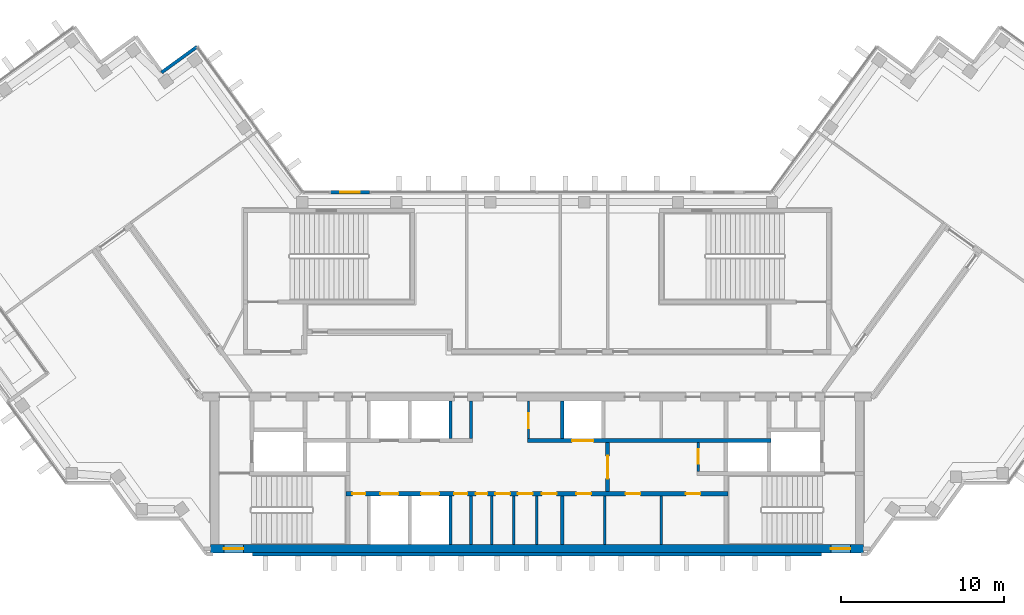
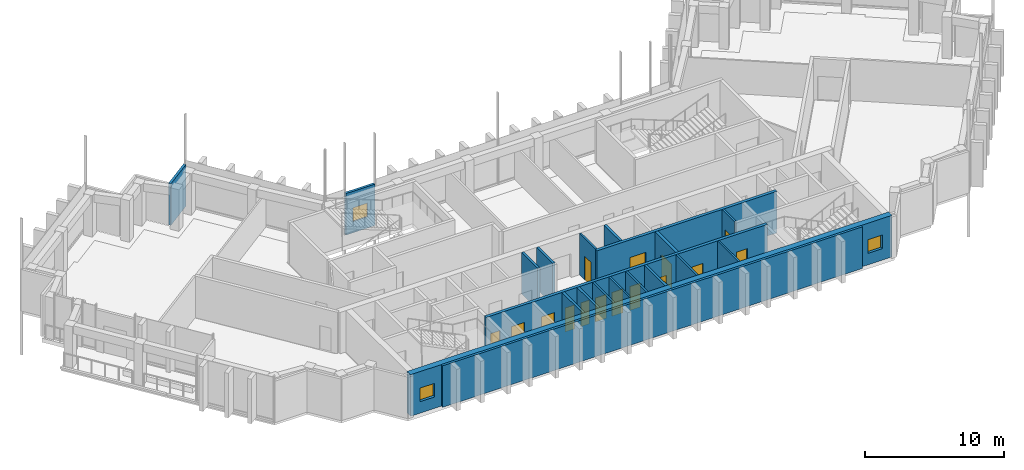
# One storey, part 10 of 14: 20 walls, 15 doors, 3 windows, 18 openings.
"""IFC4 building model written with IfcOpenShell, lengths in metres."""

from ifc_helpers import new_model, si_unit, direction, frame, frame_2d, origin, place, context, subcontext, project, spatial, rectangle, extrude, material, layer, layer_set, type_object, element, fill, save


model = new_model("IFC4")

# Units and contexts
model_context = context("Model", 3, precision=1e-05, world=origin(), true_north=direction((0.0, 1.0)))
body_context = subcontext(model_context, "Body", "Model", "MODEL_VIEW")
ifc_project = project(units=[si_unit("LENGTHUNIT", "METRE"), si_unit("AREAUNIT", "SQUARE_METRE"), si_unit("VOLUMEUNIT", "CUBIC_METRE"), si_unit("PLANEANGLEUNIT", "RADIAN"), si_unit("MASSUNIT", "GRAM", prefix="KILO")], contexts=[model_context])

# Site, building, storey
site_placement = place(None, origin())
site = spatial("IfcSite", under=ifc_project, at=site_placement, CompositionType="ELEMENT")
building_placement = place(site_placement, origin())
building = spatial("IfcBuilding", under=site, at=building_placement, Name="Quipu Civic Tower", CompositionType="ELEMENT")
storey_placement = place(building_placement, frame((0.0, 0.0, 257.0)))
storey = spatial("IfcBuildingStorey", under=building, at=storey_placement, Name="L60", CompositionType="ELEMENT", Elevation=257.0)

# Wall, openings, doors
ifc_material_1 = material(Name="Concrete C70/85", Category="concrete")
ifc_layer_1 = layer(ifc_material_1, 0.25)
ifc_layer_set_1 = layer_set([ifc_layer_1], Name="Concrete C70/85")
wall_type_1 = type_object("IfcWallType", Name="Core wall 250", PredefinedType="SHEAR", material=ifc_layer_set_1)
wall_1_placement = place(storey_placement, frame((11.699951171875, -7.375, 0.0), z_axis=(0.0, 0.0, 1.0), x_axis=(-1.0, 0.0, 0.0)))
wall_1 = element("IfcWall", 1, at=wall_1_placement, inside=storey, type_object=wall_type_1, Name="Core wall", PredefinedType="SHEAR", context=body_context, shape_type="SweptSolid", body=[
    extrude(rectangle(XDim=23.39990234375, YDim=0.25, at=frame_2d((11.699951171875, 0.0))), origin(), (0.0, 0.0, 1.0), 3.64990234375),
])
opening_1_placement = place(wall_1_placement, frame((22.22509765625, 0.0, 0.0)))
opening_1 = element("IfcOpeningElement", 2, at=opening_1_placement, cuts=wall_1, Name="Opening CD-01", PredefinedType="OPENING", context=body_context, shape_type="SweptSolid", body=[
    extrude(rectangle(XDim=0.800048828125, YDim=2.10009765625, at=frame_2d((0.39990234375, 1.050048828125))), frame((0.0, 0.135009765625, 0.0), z_axis=(0.0, -1.0, 0.0), x_axis=(1.0, 0.0, 0.0)), (0.0, 0.0, 1.0), 0.27001953125),
])
opening_2_placement = place(wall_1_placement, frame((20.199951171875, 0.0, 0.0)))
opening_2 = element("IfcOpeningElement", 3, at=opening_2_placement, cuts=wall_1, Name="Opening LD-HL1", PredefinedType="OPENING", context=body_context, shape_type="SweptSolid", body=[
    extrude(rectangle(XDim=1.10009765625, YDim=2.10009765625, at=frame_2d((0.550048828125, 1.050048828125))), frame((0.0, 0.135009765625, 0.0), z_axis=(0.0, -1.0, 0.0), x_axis=(1.0, 0.0, 0.0)), (0.0, 0.0, 1.0), 0.27001953125),
])
opening_3_placement = place(wall_1_placement, frame((17.699951171875, 0.0, 0.0)))
opening_3 = element("IfcOpeningElement", 4, at=opening_3_placement, cuts=wall_1, Name="Opening LD-HL2", PredefinedType="OPENING", context=body_context, shape_type="SweptSolid", body=[
    extrude(rectangle(XDim=1.10009765625, YDim=2.10009765625, at=frame_2d((0.550048828125, 1.050048828125))), frame((0.0, 0.135009765625, 0.0), z_axis=(0.0, -1.0, 0.0), x_axis=(1.0, 0.0, 0.0)), (0.0, 0.0, 1.0), 0.27001953125),
])
opening_4_placement = place(wall_1_placement, frame((15.97509765625, 0.0, 0.0)))
opening_4 = element("IfcOpeningElement", 5, at=opening_4_placement, cuts=wall_1, Name="Opening CD-02", PredefinedType="OPENING", context=body_context, shape_type="SweptSolid", body=[
    extrude(rectangle(XDim=0.800048828125, YDim=2.10009765625, at=frame_2d((0.39990234375, 1.050048828125))), frame((0.0, 0.135009765625, 0.0), z_axis=(0.0, -1.0, 0.0), x_axis=(1.0, 0.0, 0.0)), (0.0, 0.0, 1.0), 0.27001953125),
])
opening_5_placement = place(wall_1_placement, frame((14.75, 0.0, 0.0)))
opening_5 = element("IfcOpeningElement", 6, at=opening_5_placement, cuts=wall_1, Name="Opening CD-03", PredefinedType="OPENING", context=body_context, shape_type="SweptSolid", body=[
    extrude(rectangle(XDim=0.699951171875, YDim=2.10009765625, at=frame_2d((0.35009765625, 1.050048828125))), frame((0.0, 0.135009765625, 0.0), z_axis=(0.0, -1.0, 0.0), x_axis=(1.0, 0.0, 0.0)), (0.0, 0.0, 1.0), 0.27001953125),
])
opening_6_placement = place(wall_1_placement, frame((13.35009765625, 0.0, 0.0)))
opening_6 = element("IfcOpeningElement", 7, at=opening_6_placement, cuts=wall_1, Name="Opening CD-04", PredefinedType="OPENING", context=body_context, shape_type="SweptSolid", body=[
    extrude(rectangle(XDim=0.89990234375, YDim=2.10009765625, at=frame_2d((0.449951171875, 1.050048828125))), frame((0.0, 0.135009765625, 0.0), z_axis=(0.0, -1.0, 0.0), x_axis=(1.0, 0.0, 0.0)), (0.0, 0.0, 1.0), 0.27001953125),
])
opening_7_placement = place(wall_1_placement, frame((11.97509765625, 0.0, 0.0)))
opening_7 = element("IfcOpeningElement", 8, at=opening_7_placement, cuts=wall_1, Name="Opening CD-05", PredefinedType="OPENING", context=body_context, shape_type="SweptSolid", body=[
    extrude(rectangle(XDim=0.89990234375, YDim=2.10009765625, at=frame_2d((0.449951171875, 1.050048828125))), frame((0.0, 0.135009765625, 0.0), z_axis=(0.0, -1.0, 0.0), x_axis=(1.0, 0.0, 0.0)), (0.0, 0.0, 1.0), 0.27001953125),
])
opening_8_placement = place(wall_1_placement, frame((10.5, 0.0, 0.0)))
opening_8 = element("IfcOpeningElement", 9, at=opening_8_placement, cuts=wall_1, Name="Opening CD-06", PredefinedType="OPENING", context=body_context, shape_type="SweptSolid", body=[
    extrude(rectangle(XDim=0.89990234375, YDim=2.10009765625, at=frame_2d((0.449951171875, 1.050048828125))), frame((0.0, 0.135009765625, 0.0), z_axis=(0.0, -1.0, 0.0), x_axis=(1.0, 0.0, 0.0)), (0.0, 0.0, 1.0), 0.27001953125),
])
opening_9_placement = place(wall_1_placement, frame((8.387939453125, 0.0, 0.0)))
opening_9 = element("IfcOpeningElement", 10, at=opening_9_placement, cuts=wall_1, Name="Opening CD-07", PredefinedType="OPENING", context=body_context, shape_type="SweptSolid", body=[
    extrude(rectangle(XDim=0.89990234375, YDim=2.10009765625, at=frame_2d((0.449951171875, 1.050048828125))), frame((0.0, 0.135009765625, 0.0), z_axis=(0.0, -1.0, 0.0), x_axis=(1.0, 0.0, 0.0)), (0.0, 0.0, 1.0), 0.27001953125),
])
opening_10_placement = place(wall_1_placement, frame((5.375, 0.0, 0.0)))
opening_10 = element("IfcOpeningElement", 11, at=opening_10_placement, cuts=wall_1, Name="Opening CD-08", PredefinedType="OPENING", context=body_context, shape_type="SweptSolid", body=[
    extrude(rectangle(XDim=0.89990234375, YDim=2.10009765625, at=frame_2d((0.449951171875, 1.050048828125))), frame((0.0, 0.135009765625, 0.0), z_axis=(0.0, -1.0, 0.0), x_axis=(1.0, 0.0, 0.0)), (0.0, 0.0, 1.0), 0.27001953125),
])
opening_11_placement = place(wall_1_placement, frame((1.68798828125, 0.0, 0.0)))
opening_11 = element("IfcOpeningElement", 12, at=opening_11_placement, cuts=wall_1, Name="Opening CD-09", PredefinedType="OPENING", context=body_context, shape_type="SweptSolid", body=[
    extrude(rectangle(XDim=0.89990234375, YDim=2.10009765625, at=frame_2d((0.449951171875, 1.050048828125))), frame((0.0, 0.135009765625, 0.0), z_axis=(0.0, -1.0, 0.0), x_axis=(1.0, 0.0, 0.0)), (0.0, 0.0, 1.0), 0.27001953125),
])
ifc_material_2 = material(Name="Fire rated steel door", Category="steel")
door_type_1 = type_object("IfcDoorType", Name="Fire door FD60 700 x 2100", OperationType="NOTDEFINED", PredefinedType="DOOR", material=ifc_material_2)
door_1_placement = place(opening_5_placement, origin())
door_1 = element("IfcDoor", 13, at=door_1_placement, inside=storey, type_object=door_type_1, Name="Door", OperationType="SINGLE_SWING_RIGHT", OverallHeight=2.10009765625, OverallWidth=0.699951171875, PredefinedType="DOOR", context=body_context, shape_type="SweptSolid", body=[
    extrude(rectangle(XDim=0.699951171875, YDim=2.10009765625, at=frame_2d((0.35009765625, 1.050048828125))), frame((0.0, 0.02490234375, 0.0), z_axis=(0.0, -1.0, 0.0), x_axis=(1.0, 0.0, 0.0)), (0.0, 0.0, 1.0), 0.050048828125),
])
fill(opening_5, door_1)
ifc_material_3 = material(Name="Fire rated steel door", Category="steel")
door_type_2 = type_object("IfcDoorType", Name="Fire door FD60 800 x 2100", OperationType="NOTDEFINED", PredefinedType="DOOR", material=ifc_material_3)
door_2_placement = place(opening_1_placement, origin())
door_2 = element("IfcDoor", 14, at=door_2_placement, inside=storey, type_object=door_type_2, Name="Door", OperationType="SINGLE_SWING_RIGHT", OverallHeight=2.10009765625, OverallWidth=0.800048828125, PredefinedType="DOOR", context=body_context, shape_type="SweptSolid", body=[
    extrude(rectangle(XDim=0.800048828125, YDim=2.10009765625, at=frame_2d((0.39990234375, 1.050048828125))), frame((0.0, 0.02490234375, 0.0), z_axis=(0.0, -1.0, 0.0), x_axis=(1.0, 0.0, 0.0)), (0.0, 0.0, 1.0), 0.050048828125),
])
fill(opening_1, door_2)
door_3_placement = place(opening_4_placement, origin())
door_3 = element("IfcDoor", 15, at=door_3_placement, inside=storey, type_object=door_type_2, Name="Door", OperationType="SINGLE_SWING_RIGHT", OverallHeight=2.10009765625, OverallWidth=0.800048828125, PredefinedType="DOOR", context=body_context, shape_type="SweptSolid", body=[
    extrude(rectangle(XDim=0.800048828125, YDim=2.10009765625, at=frame_2d((0.39990234375, 1.050048828125))), frame((0.0, 0.02490234375, 0.0), z_axis=(0.0, -1.0, 0.0), x_axis=(1.0, 0.0, 0.0)), (0.0, 0.0, 1.0), 0.050048828125),
])
fill(opening_4, door_3)
ifc_material_4 = material(Name="Fire rated steel door", Category="steel")
door_type_3 = type_object("IfcDoorType", Name="Fire door FD60 900 x 2100", OperationType="NOTDEFINED", PredefinedType="DOOR", material=ifc_material_4)
door_4_placement = place(opening_6_placement, origin())
door_4 = element("IfcDoor", 16, at=door_4_placement, inside=storey, type_object=door_type_3, Name="WC door", OperationType="SINGLE_SWING_RIGHT", OverallHeight=2.10009765625, OverallWidth=0.89990234375, PredefinedType="DOOR", context=body_context, shape_type="SweptSolid", body=[
    extrude(rectangle(XDim=0.89990234375, YDim=2.10009765625, at=frame_2d((0.449951171875, 1.050048828125))), frame((0.0, 0.02490234375, 0.0), z_axis=(0.0, -1.0, 0.0), x_axis=(1.0, 0.0, 0.0)), (0.0, 0.0, 1.0), 0.050048828125),
])
fill(opening_6, door_4)
door_5_placement = place(opening_7_placement, origin())
door_5 = element("IfcDoor", 17, at=door_5_placement, inside=storey, type_object=door_type_3, Name="WC door", OperationType="SINGLE_SWING_RIGHT", OverallHeight=2.10009765625, OverallWidth=0.89990234375, PredefinedType="DOOR", context=body_context, shape_type="SweptSolid", body=[
    extrude(rectangle(XDim=0.89990234375, YDim=2.10009765625, at=frame_2d((0.449951171875, 1.050048828125))), frame((0.0, 0.02490234375, 0.0), z_axis=(0.0, -1.0, 0.0), x_axis=(1.0, 0.0, 0.0)), (0.0, 0.0, 1.0), 0.050048828125),
])
fill(opening_7, door_5)
door_6_placement = place(opening_8_placement, origin())
door_6 = element("IfcDoor", 18, at=door_6_placement, inside=storey, type_object=door_type_3, Name="WC door", OperationType="SINGLE_SWING_LEFT", OverallHeight=2.10009765625, OverallWidth=0.89990234375, PredefinedType="DOOR", context=body_context, shape_type="SweptSolid", body=[
    extrude(rectangle(XDim=0.89990234375, YDim=2.10009765625, at=frame_2d((0.449951171875, 1.050048828125))), frame((0.0, 0.02490234375, 0.0), z_axis=(0.0, -1.0, 0.0), x_axis=(1.0, 0.0, 0.0)), (0.0, 0.0, 1.0), 0.050048828125),
])
fill(opening_8, door_6)
door_7_placement = place(opening_9_placement, origin())
door_7 = element("IfcDoor", 19, at=door_7_placement, inside=storey, type_object=door_type_3, Name="Door", OperationType="SINGLE_SWING_LEFT", OverallHeight=2.10009765625, OverallWidth=0.89990234375, PredefinedType="DOOR", context=body_context, shape_type="SweptSolid", body=[
    extrude(rectangle(XDim=0.89990234375, YDim=2.10009765625, at=frame_2d((0.449951171875, 1.050048828125))), frame((0.0, 0.02490234375, 0.0), z_axis=(0.0, -1.0, 0.0), x_axis=(1.0, 0.0, 0.0)), (0.0, 0.0, 1.0), 0.050048828125),
])
fill(opening_9, door_7)
door_8_placement = place(opening_10_placement, origin())
door_8 = element("IfcDoor", 20, at=door_8_placement, inside=storey, type_object=door_type_3, Name="Door", OperationType="SINGLE_SWING_LEFT", OverallHeight=2.10009765625, OverallWidth=0.89990234375, PredefinedType="DOOR", context=body_context, shape_type="SweptSolid", body=[
    extrude(rectangle(XDim=0.89990234375, YDim=2.10009765625, at=frame_2d((0.449951171875, 1.050048828125))), frame((0.0, 0.02490234375, 0.0), z_axis=(0.0, -1.0, 0.0), x_axis=(1.0, 0.0, 0.0)), (0.0, 0.0, 1.0), 0.050048828125),
])
fill(opening_10, door_8)
door_9_placement = place(opening_11_placement, origin())
door_9 = element("IfcDoor", 21, at=door_9_placement, inside=storey, type_object=door_type_3, Name="Door", OperationType="SINGLE_SWING_LEFT", OverallHeight=2.10009765625, OverallWidth=0.89990234375, PredefinedType="DOOR", context=body_context, shape_type="SweptSolid", body=[
    extrude(rectangle(XDim=0.89990234375, YDim=2.10009765625, at=frame_2d((0.449951171875, 1.050048828125))), frame((0.0, 0.02490234375, 0.0), z_axis=(0.0, -1.0, 0.0), x_axis=(1.0, 0.0, 0.0)), (0.0, 0.0, 1.0), 0.050048828125),
])
fill(opening_11, door_9)
ifc_material_5 = material(Name="Stainless steel", Category="steel")
door_type_4 = type_object("IfcDoorType", Name="Lift landing door 1100 x 2100", OperationType="DOUBLE_DOOR_SLIDING", PredefinedType="DOOR", material=ifc_material_5)
door_10_placement = place(opening_2_placement, origin())
door_10 = element("IfcDoor", 22, at=door_10_placement, inside=storey, type_object=door_type_4, Name="Landing door HL1", OperationType="DOUBLE_DOOR_SLIDING", OverallHeight=2.10009765625, OverallWidth=1.10009765625, PredefinedType="DOOR", context=body_context, shape_type="SweptSolid", body=[
    extrude(rectangle(XDim=1.10009765625, YDim=2.10009765625, at=frame_2d((0.550048828125, 1.050048828125))), frame((0.0, 0.02490234375, 0.0), z_axis=(0.0, -1.0, 0.0), x_axis=(1.0, 0.0, 0.0)), (0.0, 0.0, 1.0), 0.050048828125),
])
fill(opening_2, door_10)
door_11_placement = place(opening_3_placement, origin())
door_11 = element("IfcDoor", 23, at=door_11_placement, inside=storey, type_object=door_type_4, Name="Landing door HL2", OperationType="DOUBLE_DOOR_SLIDING", OverallHeight=2.10009765625, OverallWidth=1.10009765625, PredefinedType="DOOR", context=body_context, shape_type="SweptSolid", body=[
    extrude(rectangle(XDim=1.10009765625, YDim=2.10009765625, at=frame_2d((0.550048828125, 1.050048828125))), frame((0.0, 0.02490234375, 0.0), z_axis=(0.0, -1.0, 0.0), x_axis=(1.0, 0.0, 0.0)), (0.0, 0.0, 1.0), 0.050048828125),
])
fill(opening_3, door_11)

# Wall, opening, door
wall_2_placement = place(storey_placement, frame((4.324951171875, -7.25, 0.0), z_axis=(0.0, 0.0, 1.0), x_axis=(0.0, 1.0, 0.0)))
wall_2 = element("IfcWall", 24, at=wall_2_placement, inside=storey, type_object=wall_type_1, Name="Core wall", PredefinedType="SHEAR", context=body_context, shape_type="SweptSolid", body=[
    extrude(rectangle(XDim=3.0, YDim=0.25, at=frame_2d((1.5, 0.0))), origin(), (0.0, 0.0, 1.0), 3.64990234375),
])
opening_12_placement = place(wall_2_placement, frame((0.800048828125, 0.0, 0.0)))
opening_12 = element("IfcOpeningElement", 25, at=opening_12_placement, cuts=wall_2, Name="Opening CD-12", PredefinedType="OPENING", context=body_context, shape_type="SweptSolid", body=[
    extrude(rectangle(XDim=1.39990234375, YDim=2.10009765625, at=frame_2d((0.699951171875, 1.050048828125))), frame((0.0, 0.135009765625, 0.0), z_axis=(0.0, -1.0, 0.0), x_axis=(1.0, 0.0, 0.0)), (0.0, 0.0, 1.0), 0.27001953125),
])
ifc_material_6 = material(Name="Fire rated steel door", Category="steel")
door_type_5 = type_object("IfcDoorType", Name="Fire door FD60 double 1400 x 2100", OperationType="NOTDEFINED", PredefinedType="DOOR", material=ifc_material_6)
door_12_placement = place(opening_12_placement, origin())
door_12 = element("IfcDoor", 26, at=door_12_placement, inside=storey, type_object=door_type_5, Name="Hall door", OperationType="DOUBLE_DOOR_SINGLE_SWING", OverallHeight=2.10009765625, OverallWidth=1.39990234375, PredefinedType="DOOR", context=body_context, shape_type="SweptSolid", body=[
    extrude(rectangle(XDim=1.39990234375, YDim=2.10009765625, at=frame_2d((0.699951171875, 1.050048828125))), frame((0.0, 0.02490234375, 0.0), z_axis=(0.0, -1.0, 0.0), x_axis=(1.0, 0.0, 0.0)), (0.0, 0.0, 1.0), 0.050048828125),
])
fill(opening_12, door_12)

wall_3_placement = place(storey_placement, frame((-0.60009765625, -4.125, 0.0), z_axis=(0.0, 0.0, 1.0), x_axis=(1.0, 0.0, 0.0)))
wall_3 = element("IfcWall", 27, at=wall_3_placement, inside=storey, type_object=wall_type_1, Name="Core wall", PredefinedType="SHEAR", context=body_context, shape_type="SweptSolid", body=[
    extrude(rectangle(XDim=14.9501953125, YDim=0.25, at=frame_2d((7.47509765625, 0.0))), origin(), (0.0, 0.0, 1.0), 3.64990234375),
])
opening_13_placement = place(wall_3_placement, frame((2.75, 0.0, 0.0)))
opening_13 = element("IfcOpeningElement", 28, at=opening_13_placement, cuts=wall_3, Name="Opening LD-FF3", PredefinedType="OPENING", context=body_context, shape_type="SweptSolid", body=[
    extrude(rectangle(XDim=1.300048828125, YDim=2.10009765625, at=frame_2d((0.64990234375, 1.050048828125))), frame((0.0, 0.135009765625, 0.0), z_axis=(0.0, -1.0, 0.0), x_axis=(1.0, 0.0, 0.0)), (0.0, 0.0, 1.0), 0.27001953125),
])
ifc_material_7 = material(Name="Stainless steel", Category="steel")
door_type_6 = type_object("IfcDoorType", Name="Lift landing door 1300 x 2100", OperationType="DOUBLE_DOOR_SLIDING", PredefinedType="DOOR", material=ifc_material_7)
door_13_placement = place(opening_13_placement, origin())
door_13 = element("IfcDoor", 29, at=door_13_placement, inside=storey, type_object=door_type_6, Name="Landing door FF3", OperationType="DOUBLE_DOOR_SLIDING", OverallHeight=2.10009765625, OverallWidth=1.300048828125, PredefinedType="DOOR", context=body_context, shape_type="SweptSolid", body=[
    extrude(rectangle(XDim=1.300048828125, YDim=2.10009765625, at=frame_2d((0.64990234375, 1.050048828125))), frame((0.0, 0.02490234375, 0.0), z_axis=(0.0, -1.0, 0.0), x_axis=(1.0, 0.0, 0.0)), (0.0, 0.0, 1.0), 0.050048828125),
])
fill(opening_13, door_13)

# Wall, openings, windows
ifc_material_8 = material(Name="Concrete C70/85", Category="concrete")
ifc_layer_2 = layer(ifc_material_8, 0.5)
ifc_layer_set_2 = layer_set([ifc_layer_2], Name="Concrete C70/85")
wall_type_2 = type_object("IfcWallType", Name="Core wall 500", PredefinedType="SHEAR", material=ifc_layer_set_2)
wall_4_placement = place(storey_placement, frame((-20.0, -10.75, 0.0), z_axis=(0.0, 0.0, 1.0), x_axis=(1.0, 0.0, 0.0)))
wall_4 = element("IfcWall", 30, at=wall_4_placement, inside=storey, type_object=wall_type_2, Name="Core wall", PredefinedType="SHEAR", context=body_context, shape_type="SweptSolid", body=[
    extrude(rectangle(XDim=40.0, YDim=0.5, at=frame_2d((20.0, 0.0))), origin(), (0.0, 0.0, 1.0), 3.64990234375),
])
opening_14_placement = place(wall_4_placement, frame((0.800048828125, 0.0, 1.0)))
opening_14 = element("IfcOpeningElement", 31, at=opening_14_placement, cuts=wall_4, Name="Opening SV-1", PredefinedType="OPENING", context=body_context, shape_type="SweptSolid", body=[
    extrude(rectangle(XDim=1.199951171875, YDim=1.199951171875, at=frame_2d((0.60009765625, 0.60009765625))), frame((0.0, 0.260009765625, 0.0), z_axis=(0.0, -1.0, 0.0), x_axis=(1.0, 0.0, 0.0)), (0.0, 0.0, 1.0), 0.52001953125),
])
opening_15_placement = place(wall_4_placement, frame((38.0, 0.0, 1.0)))
opening_15 = element("IfcOpeningElement", 32, at=opening_15_placement, cuts=wall_4, Name="Opening SV-2", PredefinedType="OPENING", context=body_context, shape_type="SweptSolid", body=[
    extrude(rectangle(XDim=1.199951171875, YDim=1.199951171875, at=frame_2d((0.60009765625, 0.60009765625))), frame((0.0, 0.260009765625, 0.0), z_axis=(0.0, -1.0, 0.0), x_axis=(1.0, 0.0, 0.0)), (0.0, 0.0, 1.0), 0.52001953125),
])
ifc_material_9 = material(Name="Aluminium louvre", Category="aluminium")
window_type_1 = type_object("IfcWindowType", Name="Stair ventilation louvre 1200 x 1200", PartitioningType="SINGLE_PANEL", PredefinedType="WINDOW", material=ifc_material_9)
window_1_placement = place(opening_14_placement, origin())
window_1 = element("IfcWindow", 33, at=window_1_placement, inside=storey, type_object=window_type_1, Name="Stair ventilation opening", OverallHeight=1.199951171875, OverallWidth=1.199951171875, PartitioningType="SINGLE_PANEL", PredefinedType="WINDOW", context=body_context, shape_type="SweptSolid", body=[
    extrude(rectangle(XDim=1.199951171875, YDim=1.199951171875, at=frame_2d((0.60009765625, 0.60009765625))), frame((0.0, 0.030029296875, 0.0), z_axis=(0.0, -1.0, 0.0), x_axis=(1.0, 0.0, 0.0)), (0.0, 0.0, 1.0), 0.06005859375),
])
fill(opening_14, window_1)
window_2_placement = place(opening_15_placement, origin())
window_2 = element("IfcWindow", 34, at=window_2_placement, inside=storey, type_object=window_type_1, Name="Stair ventilation opening", OverallHeight=1.199951171875, OverallWidth=1.199951171875, PartitioningType="SINGLE_PANEL", PredefinedType="WINDOW", context=body_context, shape_type="SweptSolid", body=[
    extrude(rectangle(XDim=1.199951171875, YDim=1.199951171875, at=frame_2d((0.60009765625, 0.60009765625))), frame((0.0, 0.030029296875, 0.0), z_axis=(0.0, -1.0, 0.0), x_axis=(1.0, 0.0, 0.0)), (0.0, 0.0, 1.0), 0.06005859375),
])
fill(opening_15, window_2)

# Walls
ifc_material_10 = material(Name="Gypsum board partition")
ifc_layer_3 = layer(ifc_material_10, 0.14990234375)
ifc_layer_set_3 = layer_set([ifc_layer_3], Name="Gypsum board partition")
wall_type_3 = type_object("IfcWallType", Name="Partition 150", PredefinedType="PARTITIONING", material=ifc_layer_set_3)
for number, where, z_axis, x_axis, name in (
    (35, (-2.77490234375, -10.5, 0.0), (0.0, 0.0, 1.0), (0.0, 1.0, 0.0), "Partition"),
    (36, (-1.425048828125, -10.5, 0.0), (0.0, 0.0, 1.0), (0.0, 1.0, 0.0), "Partition"),
    (37, (-0.02490234375, -10.5, 0.0), (0.0, 0.0, 1.0), (0.0, 1.0, 0.0), "Partition"),
    (38, (4.14990234375, -10.5, 0.0), (0.0, 0.0, 1.0), (0.0, 1.0, 0.0), "Partition"),
    (39, (7.60009765625, -10.5, 0.0), (0.0, 0.0, 1.0), (0.0, 1.0, 0.0), "Partition"),
):
    element("IfcWall", number, at=place(storey_placement, frame(where, z_axis=z_axis, x_axis=x_axis)), inside=storey, type_object=wall_type_3, Name=name, PredefinedType="PARTITIONING", context=body_context, shape_type="SweptSolid", body=[
        extrude(rectangle(XDim=3.0, YDim=0.14990234375, at=frame_2d((1.5, 0.0))), origin(), (0.0, 0.0, 1.0), 3.64990234375),
    ])

# Wall, opening, door
wall_5_placement = place(storey_placement, frame((9.875, -6.0, 0.0), z_axis=(0.0, 0.0, 1.0), x_axis=(0.0, 1.0, 0.0)))
wall_5 = element("IfcWall", 40, at=wall_5_placement, inside=storey, type_object=wall_type_3, Name="Partition", PredefinedType="PARTITIONING", context=body_context, shape_type="SweptSolid", body=[
    extrude(rectangle(XDim=1.75, YDim=0.14990234375, at=frame_2d((0.875, 0.0))), origin(), (0.0, 0.0, 1.0), 3.64990234375),
])
opening_16_placement = place(wall_5_placement, frame((0.449951171875, 0.0, 0.0)))
opening_16 = element("IfcOpeningElement", 41, at=opening_16_placement, cuts=wall_5, Name="Opening CD-13", PredefinedType="OPENING", context=body_context, shape_type="SweptSolid", body=[
    extrude(rectangle(XDim=0.89990234375, YDim=2.10009765625, at=frame_2d((0.449951171875, 1.050048828125))), frame((0.0, 0.0849609375, 0.0), z_axis=(0.0, -1.0, 0.0), x_axis=(1.0, 0.0, 0.0)), (0.0, 0.0, 1.0), 0.169921875),
])
door_14_placement = place(opening_16_placement, origin())
door_14 = element("IfcDoor", 42, at=door_14_placement, inside=storey, type_object=door_type_3, Name="Door", OperationType="SINGLE_SWING_RIGHT", OverallHeight=2.10009765625, OverallWidth=0.89990234375, PredefinedType="DOOR", context=body_context, shape_type="SweptSolid", body=[
    extrude(rectangle(XDim=0.89990234375, YDim=2.10009765625, at=frame_2d((0.449951171875, 1.050048828125))), frame((0.0, 0.02490234375, 0.0), z_axis=(0.0, -1.0, 0.0), x_axis=(1.0, 0.0, 0.0)), (0.0, 0.0, 1.0), 0.050048828125),
])
fill(opening_16, door_14)

wall_6_placement = place(storey_placement, frame((-0.52490234375, -4.0, 0.0), z_axis=(0.0, 0.0, 1.0), x_axis=(0.0, 1.0, 0.0)))
wall_6 = element("IfcWall", 43, at=wall_6_placement, inside=storey, type_object=wall_type_3, Name="Partition", PredefinedType="PARTITIONING", context=body_context, shape_type="SweptSolid", body=[
    extrude(rectangle(XDim=2.300048828125, YDim=0.14990234375, at=frame_2d((1.14990234375, 0.0))), origin(), (0.0, 0.0, 1.0), 3.64990234375),
])
opening_17_placement = place(wall_6_placement, frame((0.64990234375, 0.0, 0.0)))
opening_17 = element("IfcOpeningElement", 44, at=opening_17_placement, cuts=wall_6, Name="Opening CD-14", PredefinedType="OPENING", context=body_context, shape_type="SweptSolid", body=[
    extrude(rectangle(XDim=0.89990234375, YDim=2.10009765625, at=frame_2d((0.449951171875, 1.050048828125))), frame((0.0, 0.0849609375, 0.0), z_axis=(0.0, -1.0, 0.0), x_axis=(1.0, 0.0, 0.0)), (0.0, 0.0, 1.0), 0.169921875),
])
door_15_placement = place(opening_17_placement, origin())
door_15 = element("IfcDoor", 45, at=door_15_placement, inside=storey, type_object=door_type_3, Name="WC door", OperationType="SINGLE_SWING_LEFT", OverallHeight=2.10009765625, OverallWidth=0.89990234375, PredefinedType="DOOR", context=body_context, shape_type="SweptSolid", body=[
    extrude(rectangle(XDim=0.89990234375, YDim=2.10009765625, at=frame_2d((0.449951171875, 1.050048828125))), frame((0.0, 0.02490234375, 0.0), z_axis=(0.0, -1.0, 0.0), x_axis=(1.0, 0.0, 0.0)), (0.0, 0.0, 1.0), 0.050048828125),
])
fill(opening_17, door_15)

# Wall
ifc_material_11 = material(Name="Precast concrete C40/50", Category="concrete")
wall_type_4 = type_object("IfcWallType", Name="Precast cladding wall", PredefinedType="SOLIDWALL", material=ifc_material_11)
wall_7_placement = place(storey_placement, frame((-17.44384765625, -11.087890625, 0.0), z_axis=(0.0, 0.0, 1.0), x_axis=(1.0, 0.0, 0.0)))
element("IfcWall", 46, at=wall_7_placement, inside=storey, type_object=wall_type_4, Name="Precast cladding wall L60 P03", PredefinedType="SOLIDWALL", context=body_context, shape_type="SweptSolid", body=[
    extrude(rectangle(XDim=34.8876953125, YDim=0.199951171875, at=frame_2d((17.44384765625, 0.0))), origin(), (0.0, 0.0, 1.0), 3.64990234375),
])

# Wall, opening, window
wall_8_placement = place(storey_placement, frame((-10.263427734375, 11.10009765625, 0.0), z_axis=(0.0, 0.0, 1.0), x_axis=(-1.0, 0.0, 0.0)))
wall_8 = element("IfcWall", 47, at=wall_8_placement, inside=storey, type_object=wall_type_4, Name="Vent surround SF-L59-1", PredefinedType="SOLIDWALL", context=body_context, shape_type="SweptSolid", body=[
    extrude(rectangle(XDim=2.3916015625, YDim=0.199951171875, at=frame_2d((1.19580078125, 0.0))), origin(), (0.0, 0.0, 1.0), 3.64990234375),
])
opening_18_placement = place(wall_8_placement, frame((0.595703125, 0.0, 1.0)))
opening_18 = element("IfcOpeningElement", 48, at=opening_18_placement, cuts=wall_8, Name="Opening SF-L59-1", PredefinedType="OPENING", context=body_context, shape_type="SweptSolid", body=[
    extrude(rectangle(XDim=1.199951171875, YDim=1.199951171875, at=frame_2d((0.60009765625, 0.60009765625))), frame((0.0, 0.10986328125, 0.0), z_axis=(0.0, -1.0, 0.0), x_axis=(1.0, 0.0, 0.0)), (0.0, 0.0, 1.0), 0.219970703125),
])
ifc_material_12 = material(Name="Anodised aluminium louvre", Category="aluminium")
window_type_2 = type_object("IfcWindowType", Name="Stair vent louvre window P3", PartitioningType="SINGLE_PANEL", PredefinedType="WINDOW", material=ifc_material_12)
window_3_placement = place(opening_18_placement, origin())
window_3 = element("IfcWindow", 49, at=window_3_placement, inside=storey, type_object=window_type_2, Name="Stair vent louvre SF-L59-1", OverallHeight=1.199951171875, OverallWidth=1.199951171875, PartitioningType="SINGLE_PANEL", PredefinedType="WINDOW", context=body_context, shape_type="SweptSolid", body=[
    extrude(rectangle(XDim=1.199951171875, YDim=1.199951171875, at=frame_2d((0.60009765625, 0.60009765625))), frame((0.0, 0.030029296875, 0.0), z_axis=(0.0, -1.0, 0.0), x_axis=(1.0, 0.0, 0.0)), (0.0, 0.0, 1.0), 0.06005859375),
])
fill(opening_18, window_3)

# Walls
wall_9_placement = place(storey_placement, frame((-20.828857421875, 20.025390625, 0.0), z_axis=(0.0, 0.0, 1.0), x_axis=(-0.808990163075, -0.587822180636, 0.0)))
element("IfcWall", 50, at=wall_9_placement, inside=storey, type_object=wall_type_4, Name="Precast cladding wall L60 P27", PredefinedType="SOLIDWALL", context=body_context, shape_type="SweptSolid", body=[
    extrude(rectangle(XDim=2.699951171875, YDim=0.199951171875, at=frame_2d((1.35009765625, 0.0))), origin(), (0.0, 0.0, 1.0), 3.64990234375),
])
ifc_material_13 = material(Name="Concrete C40/50", Category="concrete")
ifc_layer_4 = layer(ifc_material_13, 0.199951171875)
ifc_layer_set_4 = layer_set([ifc_layer_4], Name="Concrete C40/50")
wall_type_5 = type_object("IfcWallType", Name="Shaft wall 200", PredefinedType="SOLIDWALL", material=ifc_layer_set_4)
for number, where, z_axis, x_axis, name in (
    (51, (-5.300048828125, -10.5, 0.0), (0.0, 0.0, 1.0), (0.0, 1.0, 0.0), "Shaft wall"),
    (52, (-4.050048828125, -10.5, 0.0), (0.0, 0.0, 1.0), (0.0, 1.0, 0.0), "Shaft wall"),
    (53, (1.550048828125, -10.5, 0.0), (0.0, 0.0, 1.0), (0.0, 1.0, 0.0), "Shaft wall"),
):
    element("IfcWall", number, at=place(storey_placement, frame(where, z_axis=z_axis, x_axis=x_axis)), inside=storey, type_object=wall_type_5, Name=name, PredefinedType="SOLIDWALL", context=body_context, shape_type="SweptSolid", body=[
        extrude(rectangle(XDim=3.0, YDim=0.199951171875, at=frame_2d((1.5, 0.0))), origin(), (0.0, 0.0, 1.0), 3.64990234375),
    ])
for number, where, z_axis, x_axis, name in (
    (54, (-5.300048828125, -4.0, 0.0), (0.0, 0.0, 1.0), (0.0, 1.0, 0.0), "Shaft wall"),
    (55, (-4.050048828125, -4.0, 0.0), (0.0, 0.0, 1.0), (0.0, 1.0, 0.0), "Shaft wall"),
    (56, (1.550048828125, -4.0, 0.0), (0.0, 0.0, 1.0), (0.0, 1.0, 0.0), "Shaft wall"),
):
    element("IfcWall", number, at=place(storey_placement, frame(where, z_axis=z_axis, x_axis=x_axis)), inside=storey, type_object=wall_type_5, Name=name, PredefinedType="SOLIDWALL", context=body_context, shape_type="SweptSolid", body=[
        extrude(rectangle(XDim=2.300048828125, YDim=0.199951171875, at=frame_2d((1.14990234375, 0.0))), origin(), (0.0, 0.0, 1.0), 3.64990234375),
    ])

save(model, "model.ifc")
